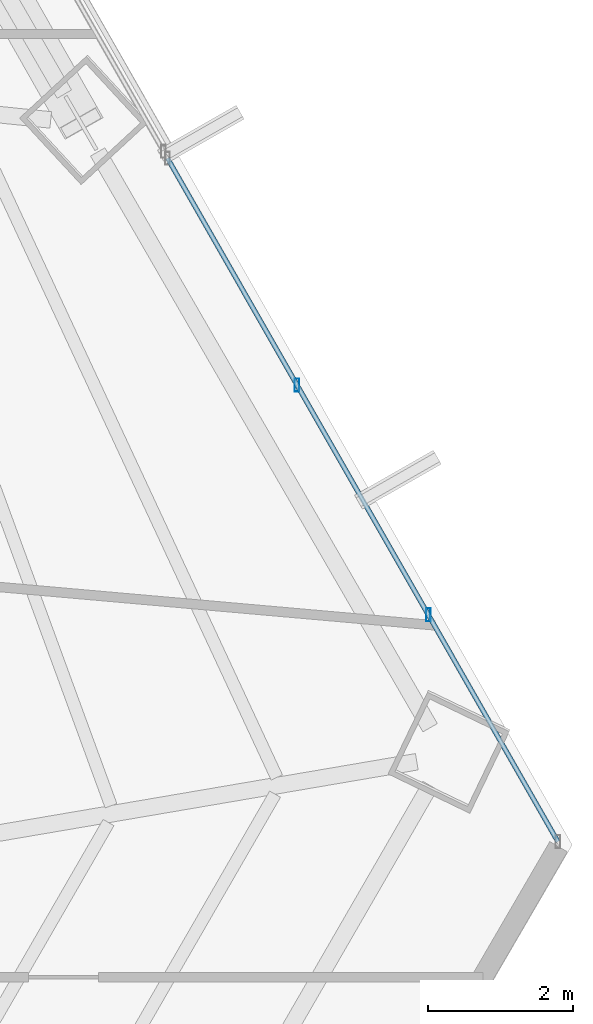
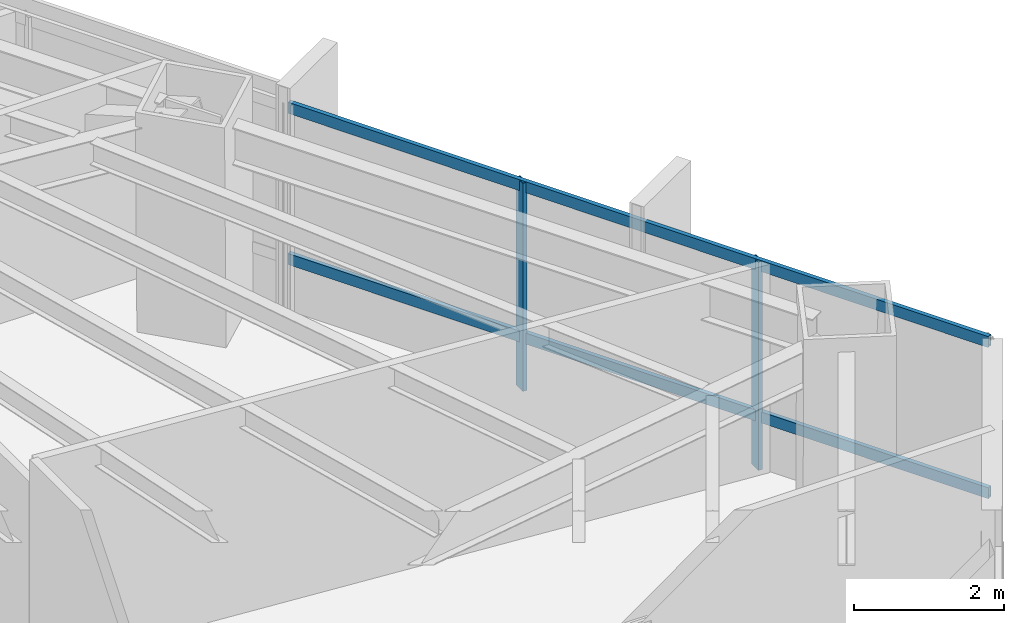
# One storey, part 23 of 36: 4 members, 1 element without a shape of its own.
"""IFC4 building model written with IfcOpenShell, lengths in metres."""

from ifc_helpers import new_model, si_unit, direction, frame, origin, origin_2d, place, context, subcontext, project, spatial, hollow_rectangle, extrude, source, transform, mapped, material, material_profile, profile_set, type_object, type_shapes, element, aggregate, save


model = new_model("IFC4")

# Units and contexts
model_context = context("Model", 3, precision=1e-05, world=origin(), true_north=direction((0.0, 1.0)))
body_context = subcontext(model_context, "Body", "Model", "MODEL_VIEW")
ifc_project = project(units=[si_unit("LENGTHUNIT", "METRE"), si_unit("AREAUNIT", "SQUARE_METRE"), si_unit("VOLUMEUNIT", "CUBIC_METRE"), si_unit("PLANEANGLEUNIT", "RADIAN"), si_unit("MASSUNIT", "GRAM", prefix="KILO")], contexts=[model_context])

# Site, building, storey
site_placement = place(None, origin())
site = spatial("IfcSite", under=ifc_project, at=site_placement, CompositionType="ELEMENT")
building_placement = place(site_placement, origin())
building = spatial("IfcBuilding", under=site, at=building_placement, Name="Caelisora Broadcast Tower", CompositionType="ELEMENT")
storey_placement = place(building_placement, frame((0.0, 0.0, 60.449951171875)))
storey = spatial("IfcBuildingStorey", under=building, at=storey_placement, Name="L15", CompositionType="ELEMENT", Elevation=60.449951171875)

# Curtain wall, members
ifc_material_1 = material(Name="Unitised Aluminium and Low-E Glass Curtain Wall", Category="glass")
curtain_wall_type = type_object("IfcCurtainWallType", Name="CW-Z1", PredefinedType="NOTDEFINED", material=ifc_material_1)
curtain_wall_placement = place(storey_placement, origin())
curtain_wall = element("IfcCurtainWall", 1, at=curtain_wall_placement, inside=storey, type_object=curtain_wall_type, Name="L15 curtain wall CW-Z1", PredefinedType="NOTDEFINED")
ifc_material_2 = material(Name="Aluminium 6063-T6 Anodised Terracotta Bronze", Category="aluminium")
ifc_material_profile_1 = material_profile(ifc_material_2, hollow_rectangle(XDim=0.06494140625, YDim=0.179931640625, WallThickness=0.00341796875, at=origin_2d()), Name="Aluminium 6063-T6 Anodised Terracotta Bronze")
ifc_profile_set_1 = profile_set([ifc_material_profile_1], Name="Aluminium 6063-T6 Anodised Terracotta Bronze")
member_type_1 = type_object("IfcMemberType", Name="CWM-02", PredefinedType="MULLION", material=ifc_profile_set_1)
shared_shape_1 = source(origin(), body_context, "Body", "SweptSolid", [
    extrude(hollow_rectangle(XDim=0.06494140625, YDim=0.179931640625, WallThickness=0.00341796875, at=origin_2d()), origin(), (0.0, 0.0, 1.0), 3.400146484375),
])
type_shapes(member_type_1, [shared_shape_1])
member_1_placement = place(storey_placement, frame((59.49951171875, 25.26171875, 0.0), z_axis=(0.0, 0.0, 1.0), x_axis=(1.0, 0.0, 0.0)))
member_1 = element("IfcMember", 2, at=member_1_placement, type_object=member_type_1, Name="L15-CW-B03 mullion #1", PredefinedType="MULLION", context=body_context, shape_type="MappedRepresentation", body=[
    mapped(shared_shape_1, transform((0.0, 0.0, 0.0), scale=1.0)),
])
member_2_placement = place(storey_placement, frame((61.30908203125, 22.09326171875, 0.0), z_axis=(0.0, 0.0, 1.0), x_axis=(1.0, 0.0, 0.0)))
member_2 = element("IfcMember", 3, at=member_2_placement, type_object=member_type_1, Name="L15-CW-B03 mullion #2", PredefinedType="MULLION", context=body_context, shape_type="MappedRepresentation", body=[
    mapped(shared_shape_1, transform((0.0, 0.0, 0.0), scale=1.0)),
])
ifc_material_profile_2 = material_profile(ifc_material_2, hollow_rectangle(XDim=0.06494140625, YDim=0.179931640625, WallThickness=0.00341796875, at=origin_2d()), Name="Aluminium 6063-T6 Anodised Terracotta Bronze")
ifc_profile_set_2 = profile_set([ifc_material_profile_2], Name="Aluminium 6063-T6 Anodised Terracotta Bronze")
member_type_2 = type_object("IfcMemberType", Name="CWT-01", PredefinedType="USERDEFINED", material=ifc_profile_set_2)
shared_shape_2 = source(origin(), body_context, "Body", "SweptSolid", [
    extrude(hollow_rectangle(XDim=0.06494140625, YDim=0.179931640625, WallThickness=0.00341796875, at=origin_2d()), origin(), (0.0, 0.0, 1.0), 10.84619140625),
])
type_shapes(member_type_2, [shared_shape_2])
member_3_placement = place(storey_placement, frame((57.71435546875, 28.386474609375, 0.85009765625), z_axis=(0.49601288157, -0.868315162436, 0.0), x_axis=(0.868315162436, 0.49601288157, 0.0)))
member_3 = element("IfcMember", 4, at=member_3_placement, type_object=member_type_2, Name="L15-CW-B03 transom #1", ObjectType="TRANSOM", PredefinedType="USERDEFINED", context=body_context, shape_type="MappedRepresentation", body=[
    mapped(shared_shape_2, transform((0.0, 0.0, 0.0), scale=1.0)),
])
member_4_placement = place(storey_placement, frame((57.71435546875, 28.386474609375, 3.320068359375), z_axis=(0.49601288157, -0.868315162436, 0.0), x_axis=(0.868315162436, 0.49601288157, 0.0)))
member_4 = element("IfcMember", 5, at=member_4_placement, type_object=member_type_2, Name="L15-CW-B03 transom #2", ObjectType="TRANSOM", PredefinedType="USERDEFINED", context=body_context, shape_type="MappedRepresentation", body=[
    mapped(shared_shape_2, transform((0.0, 0.0, 0.0), scale=1.0)),
])
aggregate(curtain_wall, [member_1, member_2, member_3, member_4])

save(model, "model.ifc")
